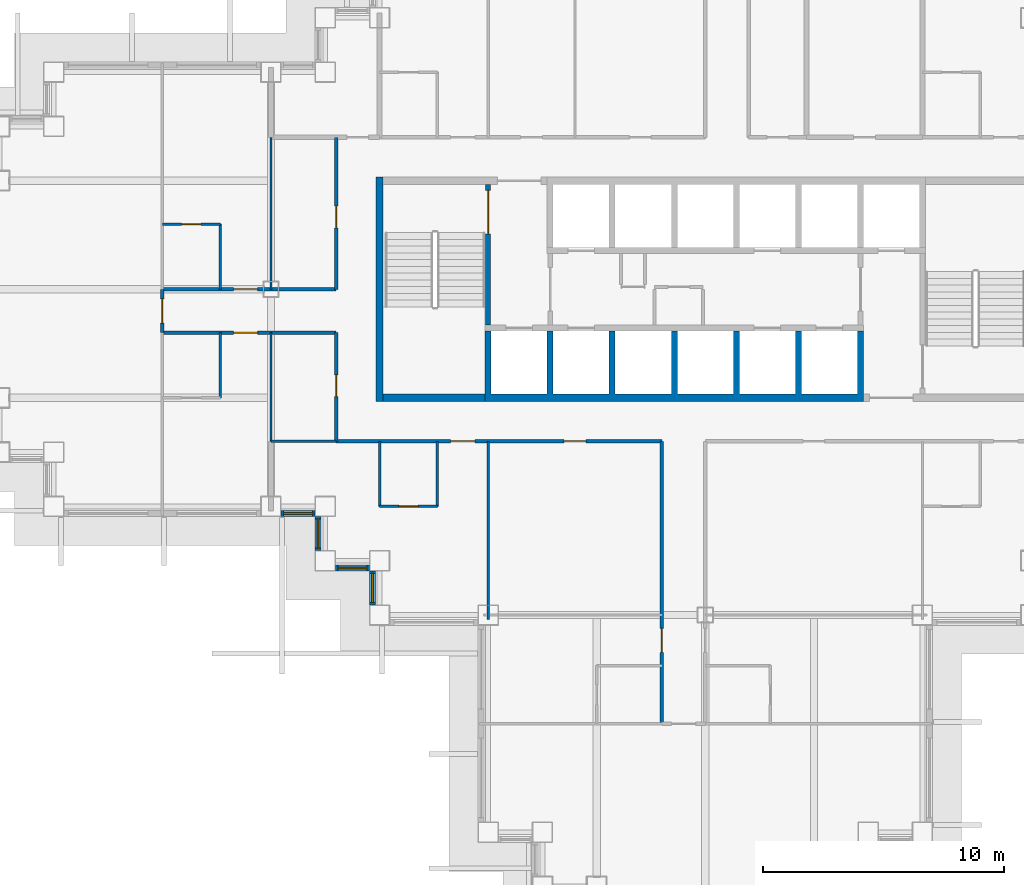
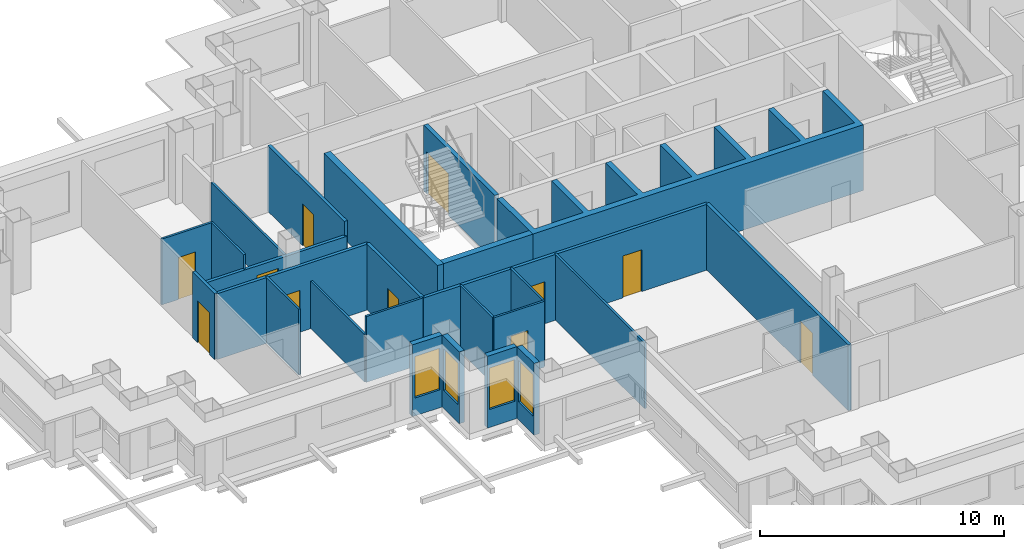
# One storey, part 5 of 17: 25 walls, 11 doors, 4 windows, 15 openings.
"""IFC4 building model written with IfcOpenShell, lengths in metres."""

from ifc_helpers import new_model, si_unit, direction, frame, frame_2d, origin, place, context, subcontext, project, spatial, polyline, rectangle, outline, extrude, material, layer, layer_set, type_object, element, fill, save


model = new_model("IFC4")

# Units and contexts
model_context = context("Model", 3, precision=1e-05, world=origin(), true_north=direction((0.0, 1.0)))
body_context = subcontext(model_context, "Body", "Model", "MODEL_VIEW")
ifc_project = project(units=[si_unit("LENGTHUNIT", "METRE"), si_unit("AREAUNIT", "SQUARE_METRE"), si_unit("VOLUMEUNIT", "CUBIC_METRE"), si_unit("PLANEANGLEUNIT", "RADIAN"), si_unit("MASSUNIT", "GRAM", prefix="KILO")], contexts=[model_context])

# Site, building, storey
site_placement = place(None, origin())
site = spatial("IfcSite", under=ifc_project, at=site_placement, CompositionType="ELEMENT")
building_placement = place(site_placement, origin())
building = spatial("IfcBuilding", under=site, at=building_placement, Name="Caravel Reach Hotel and Residences", CompositionType="ELEMENT")
storey_placement = place(building_placement, frame((0.0, 0.0, 126.0)))
storey = spatial("IfcBuildingStorey", under=building, at=storey_placement, Name="L31", CompositionType="ELEMENT", Elevation=126.0)

# Wall, opening, door
ifc_material_1 = material(Name="Gypsum board on steel stud", Category="steel")
ifc_layer_1 = layer(ifc_material_1, 0.10009765625)
ifc_layer_set_1 = layer_set([ifc_layer_1], Name="Bathroom pod wall 100 mm")
wall_type_1 = type_object("IfcWallType", Name="Bathroom pod wall 100 mm", PredefinedType="PARTITIONING", material=ifc_layer_set_1)
wall_1_placement = place(storey_placement, frame((18.0, 18.0, 0.0), z_axis=(0.0, 0.0, 1.0), x_axis=(1.0, 0.0, 0.0)))
wall_1 = element("IfcWall", 1, at=wall_1_placement, inside=storey, type_object=wall_type_1, Name="L31 wall w069", PredefinedType="PARTITIONING", context=body_context, shape_type="SweptSolid", body=[
    extrude(rectangle(XDim=2.39990234375, YDim=0.10009765625, at=frame_2d((1.199951171875, 0.0))), origin(), (0.0, 0.0, 1.0), 3.300048828125),
])
opening_1_placement = place(wall_1_placement, frame((0.800048828125, 0.0, 0.0)))
opening_1 = element("IfcOpeningElement", 2, at=opening_1_placement, cuts=wall_1, Name="Opening D31-047", PredefinedType="OPENING", context=body_context, shape_type="SweptSolid", body=[
    extrude(rectangle(XDim=0.800048828125, YDim=2.10009765625, at=frame_2d((0.39990234375, 1.050048828125))), frame((0.0, 0.06005859375, 0.0), z_axis=(0.0, -1.0, 0.0), x_axis=(1.0, 0.0, 0.0)), (0.0, 0.0, 1.0), 0.1201171875),
])
ifc_material_2 = material(Name="Timber and steel door leaf", Category="steel")
door_type_1 = type_object("IfcDoorType", Name="Bathroom door 800 x 2100", OperationType="SINGLE_SWING_LEFT", PredefinedType="DOOR", material=ifc_material_2)
door_1_placement = place(opening_1_placement, origin())
door_1 = element("IfcDoor", 3, at=door_1_placement, inside=storey, type_object=door_type_1, Name="door D31-047", OperationType="SINGLE_SWING_RIGHT", OverallHeight=2.10009765625, OverallWidth=0.800048828125, PredefinedType="DOOR", context=body_context, shape_type="SweptSolid", body=[
    extrude(rectangle(XDim=0.800048828125, YDim=2.10009765625, at=frame_2d((0.39990234375, 1.050048828125))), frame((0.0, 0.02490234375, 0.0), z_axis=(0.0, -1.0, 0.0), x_axis=(1.0, 0.0, 0.0)), (0.0, 0.0, 1.0), 0.050048828125),
])
fill(opening_1, door_1)

wall_2_placement = place(storey_placement, frame((9.0, 29.699951171875, 0.0), z_axis=(0.0, 0.0, 1.0), x_axis=(1.0, 0.0, 0.0)))
wall_2 = element("IfcWall", 4, at=wall_2_placement, inside=storey, type_object=wall_type_1, Name="L31 wall w074", PredefinedType="PARTITIONING", context=body_context, shape_type="SweptSolid", body=[
    extrude(rectangle(XDim=2.39990234375, YDim=0.10009765625, at=frame_2d((1.199951171875, 0.0))), origin(), (0.0, 0.0, 1.0), 3.300048828125),
])
opening_2_placement = place(wall_2_placement, frame((0.800048828125, 0.0, 0.0)))
opening_2 = element("IfcOpeningElement", 5, at=opening_2_placement, cuts=wall_2, Name="Opening D31-019", PredefinedType="OPENING", context=body_context, shape_type="SweptSolid", body=[
    extrude(rectangle(XDim=0.800048828125, YDim=2.10009765625, at=frame_2d((0.39990234375, 1.050048828125))), frame((0.0, 0.06005859375, 0.0), z_axis=(0.0, -1.0, 0.0), x_axis=(1.0, 0.0, 0.0)), (0.0, 0.0, 1.0), 0.1201171875),
])
door_2_placement = place(opening_2_placement, origin())
door_2 = element("IfcDoor", 6, at=door_2_placement, inside=storey, type_object=door_type_1, Name="door D31-019", OperationType="SINGLE_SWING_RIGHT", OverallHeight=2.10009765625, OverallWidth=0.800048828125, PredefinedType="DOOR", context=body_context, shape_type="SweptSolid", body=[
    extrude(rectangle(XDim=0.800048828125, YDim=2.10009765625, at=frame_2d((0.39990234375, 1.050048828125))), frame((0.0, 0.02490234375, 0.0), z_axis=(0.0, -1.0, 0.0), x_axis=(1.0, 0.0, 0.0)), (0.0, 0.0, 1.0), 0.050048828125),
])
fill(opening_2, door_2)

# Walls
for number, where, z_axis, x_axis, name in (
    (7, (11.39990234375, 27.0, 0.0), (0.0, 0.0, 1.0), (0.0, 1.0, 0.0), "L31 wall w081"),
    (8, (11.39990234375, 22.5, 0.0), (0.0, 0.0, 1.0), (0.0, 1.0, 0.0), "L31 wall w082"),
    (9, (18.0, 18.0, 0.0), (0.0, 0.0, 1.0), (0.0, 1.0, 0.0), "L31 wall w083"),
    (10, (20.39990234375, 18.0, 0.0), (0.0, 0.0, 1.0), (0.0, 1.0, 0.0), "L31 wall w085"),
):
    element("IfcWall", number, at=place(storey_placement, frame(where, z_axis=z_axis, x_axis=x_axis)), inside=storey, type_object=wall_type_1, Name=name, PredefinedType="PARTITIONING", context=body_context, shape_type="SweptSolid", body=[
        extrude(rectangle(XDim=2.699951171875, YDim=0.10009765625, at=frame_2d((1.35009765625, 0.0))), origin(), (0.0, 0.0, 1.0), 3.300048828125),
    ])
ifc_material_3 = material(Name="Concrete C60", Category="concrete")
ifc_layer_2 = layer(ifc_material_3, 0.300048828125)
ifc_layer_set_2 = layer_set([ifc_layer_2], Name="Core wall 300 mm EI 120")
wall_type_2 = type_object("IfcWallType", Name="Core wall 300 mm EI 120", PredefinedType="SHEAR", material=ifc_layer_set_2)
wall_3_placement = place(storey_placement, frame((18.14990234375, 22.5, 0.0), z_axis=(0.0, 0.0, 1.0), x_axis=(1.0, 0.0, 0.0)))
element("IfcWall", 11, at=wall_3_placement, inside=storey, type_object=wall_type_2, Name="L31 core wall S1", PredefinedType="SHEAR", context=body_context, shape_type="SweptSolid", body=[
    extrude(rectangle(XDim=4.22509765625, YDim=0.300048828125, at=frame_2d((2.112548828125, 0.0))), origin(), (0.0, 0.0, 1.0), 3.300048828125),
])
wall_4_placement = place(storey_placement, frame((18.0, 22.35009765625, 0.0), z_axis=(0.0, 0.0, 1.0), x_axis=(0.0, 1.0, 0.0)))
element("IfcWall", 12, at=wall_4_placement, inside=storey, type_object=wall_type_2, Name="L31 core wall W", PredefinedType="SHEAR", context=body_context, shape_type="SweptSolid", body=[
    extrude(rectangle(XDim=9.2998046875, YDim=0.300048828125, at=frame_2d((4.64990234375, 0.0))), origin(), (0.0, 0.0, 1.0), 3.300048828125),
])

# Wall, openings, doors
ifc_material_4 = material(Name="Gypsum board on steel stud, fire-rated", Category="steel")
ifc_layer_3 = layer(ifc_material_4, 0.14990234375)
ifc_layer_set_3 = layer_set([ifc_layer_3], Name="Corridor wall 150 mm EI 60")
wall_type_3 = type_object("IfcWallType", Name="Corridor wall 150 mm EI 60", PredefinedType="PARTITIONING", material=ifc_layer_set_3)
wall_5_placement = place(storey_placement, frame((16.199951171875, 20.699951171875, 0.0), z_axis=(0.0, 0.0, 1.0), x_axis=(1.0, 0.0, 0.0)))
wall_5 = element("IfcWall", 13, at=wall_5_placement, inside=storey, type_object=wall_type_3, Name="L31 wall w001", PredefinedType="PARTITIONING", context=body_context, shape_type="SweptSolid", body=[
    extrude(rectangle(XDim=13.5, YDim=0.14990234375, at=frame_2d((6.75, 0.0))), origin(), (0.0, 0.0, 1.0), 3.300048828125),
])
opening_3_placement = place(wall_5_placement, frame((4.75, 0.0, 0.0)))
opening_3 = element("IfcOpeningElement", 14, at=opening_3_placement, cuts=wall_5, Name="Opening D31-046", PredefinedType="OPENING", context=body_context, shape_type="SweptSolid", body=[
    extrude(rectangle(XDim=1.0, YDim=2.10009765625, at=frame_2d((0.5, 1.050048828125))), frame((0.0, 0.0849609375, 0.0), z_axis=(0.0, -1.0, 0.0), x_axis=(1.0, 0.0, 0.0)), (0.0, 0.0, 1.0), 0.169921875),
])
opening_4_placement = place(wall_5_placement, frame((9.449951171875, 0.0, 0.0)))
opening_4 = element("IfcOpeningElement", 15, at=opening_4_placement, cuts=wall_5, Name="Opening D31-054", PredefinedType="OPENING", context=body_context, shape_type="SweptSolid", body=[
    extrude(rectangle(XDim=0.89990234375, YDim=2.10009765625, at=frame_2d((0.449951171875, 1.050048828125))), frame((0.0, 0.0849609375, 0.0), z_axis=(0.0, -1.0, 0.0), x_axis=(1.0, 0.0, 0.0)), (0.0, 0.0, 1.0), 0.169921875),
])
ifc_material_5 = material(Name="Timber and steel door leaf", Category="steel")
door_type_2 = type_object("IfcDoorType", Name="Door 900 x 2100 timber", OperationType="SINGLE_SWING_LEFT", PredefinedType="DOOR", material=ifc_material_5)
door_3_placement = place(opening_4_placement, origin())
door_3 = element("IfcDoor", 16, at=door_3_placement, inside=storey, type_object=door_type_2, Name="door D31-054", OperationType="SINGLE_SWING_RIGHT", OverallHeight=2.10009765625, OverallWidth=0.89990234375, PredefinedType="DOOR", context=body_context, shape_type="SweptSolid", body=[
    extrude(rectangle(XDim=0.89990234375, YDim=2.10009765625, at=frame_2d((0.449951171875, 1.050048828125))), frame((0.0, 0.02490234375, 0.0), z_axis=(0.0, -1.0, 0.0), x_axis=(1.0, 0.0, 0.0)), (0.0, 0.0, 1.0), 0.050048828125),
])
fill(opening_4, door_3)
ifc_material_6 = material(Name="Steel fire door leaf", Category="steel")
door_type_3 = type_object("IfcDoorType", Name="Guest room door 1000 x 2100 EI 30", OperationType="SINGLE_SWING_LEFT", PredefinedType="DOOR", material=ifc_material_6)
door_4_placement = place(opening_3_placement, origin())
door_4 = element("IfcDoor", 17, at=door_4_placement, inside=storey, type_object=door_type_3, Name="door D31-046", OperationType="SINGLE_SWING_RIGHT", OverallHeight=2.10009765625, OverallWidth=1.0, PredefinedType="DOOR", context=body_context, shape_type="SweptSolid", body=[
    extrude(rectangle(XDim=1.0, YDim=2.10009765625, at=frame_2d((0.5, 1.050048828125))), frame((0.0, 0.02490234375, 0.0), z_axis=(0.0, -1.0, 0.0), x_axis=(1.0, 0.0, 0.0)), (0.0, 0.0, 1.0), 0.050048828125),
])
fill(opening_3, door_4)

# Wall, opening, door
wall_6_placement = place(storey_placement, frame((9.0, 25.199951171875, 0.0), z_axis=(0.0, 0.0, 1.0), x_axis=(1.0, 0.0, 0.0)))
wall_6 = element("IfcWall", 18, at=wall_6_placement, inside=storey, type_object=wall_type_3, Name="L31 wall w005", PredefinedType="PARTITIONING", context=body_context, shape_type="SweptSolid", body=[
    extrude(rectangle(XDim=7.199951171875, YDim=0.14990234375, at=frame_2d((3.60009765625, 0.0))), origin(), (0.0, 0.0, 1.0), 3.300048828125),
])
opening_5_placement = place(wall_6_placement, frame((2.949951171875, 0.0, 0.0)))
opening_5 = element("IfcOpeningElement", 19, at=opening_5_placement, cuts=wall_6, Name="Opening D31-016", PredefinedType="OPENING", context=body_context, shape_type="SweptSolid", body=[
    extrude(rectangle(XDim=1.0, YDim=2.10009765625, at=frame_2d((0.5, 1.050048828125))), frame((0.0, 0.0849609375, 0.0), z_axis=(0.0, -1.0, 0.0), x_axis=(1.0, 0.0, 0.0)), (0.0, 0.0, 1.0), 0.169921875),
])
door_5_placement = place(opening_5_placement, origin())
door_5 = element("IfcDoor", 20, at=door_5_placement, inside=storey, type_object=door_type_3, Name="door D31-016", OperationType="SINGLE_SWING_RIGHT", OverallHeight=2.10009765625, OverallWidth=1.0, PredefinedType="DOOR", context=body_context, shape_type="SweptSolid", body=[
    extrude(rectangle(XDim=1.0, YDim=2.10009765625, at=frame_2d((0.5, 1.050048828125))), frame((0.0, 0.02490234375, 0.0), z_axis=(0.0, -1.0, 0.0), x_axis=(1.0, 0.0, 0.0)), (0.0, 0.0, 1.0), 0.050048828125),
])
fill(opening_5, door_5)

wall_7_placement = place(storey_placement, frame((9.0, 27.0, 0.0), z_axis=(0.0, 0.0, 1.0), x_axis=(1.0, 0.0, 0.0)))
wall_7 = element("IfcWall", 21, at=wall_7_placement, inside=storey, type_object=wall_type_3, Name="L31 wall w009", PredefinedType="PARTITIONING", context=body_context, shape_type="SweptSolid", body=[
    extrude(rectangle(XDim=7.199951171875, YDim=0.14990234375, at=frame_2d((3.60009765625, 0.0))), origin(), (0.0, 0.0, 1.0), 2.580078125),
])
opening_6_placement = place(wall_7_placement, frame((2.949951171875, 0.0, 0.0)))
opening_6 = element("IfcOpeningElement", 22, at=opening_6_placement, cuts=wall_7, Name="Opening D31-018", PredefinedType="OPENING", context=body_context, shape_type="SweptSolid", body=[
    extrude(rectangle(XDim=1.0, YDim=2.10009765625, at=frame_2d((0.5, 1.050048828125))), frame((0.0, 0.0849609375, 0.0), z_axis=(0.0, -1.0, 0.0), x_axis=(1.0, 0.0, 0.0)), (0.0, 0.0, 1.0), 0.169921875),
])
door_6_placement = place(opening_6_placement, origin())
door_6 = element("IfcDoor", 23, at=door_6_placement, inside=storey, type_object=door_type_3, Name="door D31-018", OperationType="SINGLE_SWING_RIGHT", OverallHeight=2.10009765625, OverallWidth=1.0, PredefinedType="DOOR", context=body_context, shape_type="SweptSolid", body=[
    extrude(rectangle(XDim=1.0, YDim=2.10009765625, at=frame_2d((0.5, 1.050048828125))), frame((0.0, 0.02490234375, 0.0), z_axis=(0.0, -1.0, 0.0), x_axis=(1.0, 0.0, 0.0)), (0.0, 0.0, 1.0), 0.050048828125),
])
fill(opening_6, door_6)

wall_8_placement = place(storey_placement, frame((16.199951171875, 27.0, 0.0), z_axis=(0.0, 0.0, 1.0), x_axis=(0.0, 1.0, 0.0)))
wall_8 = element("IfcWall", 24, at=wall_8_placement, inside=storey, type_object=wall_type_3, Name="L31 wall w023", PredefinedType="PARTITIONING", context=body_context, shape_type="SweptSolid", body=[
    extrude(rectangle(XDim=6.300048828125, YDim=0.14990234375, at=frame_2d((3.14990234375, 0.0))), origin(), (0.0, 0.0, 1.0), 3.300048828125),
])
opening_7_placement = place(wall_8_placement, frame((2.550048828125, 0.0, 0.0)))
opening_7 = element("IfcOpeningElement", 25, at=opening_7_placement, cuts=wall_8, Name="Opening D31-057", PredefinedType="OPENING", context=body_context, shape_type="SweptSolid", body=[
    extrude(rectangle(XDim=0.89990234375, YDim=2.10009765625, at=frame_2d((0.449951171875, 1.050048828125))), frame((0.0, 0.0849609375, 0.0), z_axis=(0.0, -1.0, 0.0), x_axis=(1.0, 0.0, 0.0)), (0.0, 0.0, 1.0), 0.169921875),
])
door_7_placement = place(opening_7_placement, origin())
door_7 = element("IfcDoor", 26, at=door_7_placement, inside=storey, type_object=door_type_2, Name="door D31-057", OperationType="SINGLE_SWING_LEFT", OverallHeight=2.10009765625, OverallWidth=0.89990234375, PredefinedType="DOOR", context=body_context, shape_type="SweptSolid", body=[
    extrude(rectangle(XDim=0.89990234375, YDim=2.10009765625, at=frame_2d((0.449951171875, 1.050048828125))), frame((0.0, 0.02490234375, 0.0), z_axis=(0.0, -1.0, 0.0), x_axis=(1.0, 0.0, 0.0)), (0.0, 0.0, 1.0), 0.050048828125),
])
fill(opening_7, door_7)

wall_9_placement = place(storey_placement, frame((16.199951171875, 20.699951171875, 0.0), z_axis=(0.0, 0.0, 1.0), x_axis=(0.0, 1.0, 0.0)))
wall_9 = element("IfcWall", 27, at=wall_9_placement, inside=storey, type_object=wall_type_3, Name="L31 wall w024", PredefinedType="PARTITIONING", context=body_context, shape_type="SweptSolid", body=[
    extrude(rectangle(XDim=4.5, YDim=0.14990234375, at=frame_2d((2.25, 0.0))), origin(), (0.0, 0.0, 1.0), 3.300048828125),
])
opening_8_placement = place(wall_9_placement, frame((1.85009765625, 0.0, 0.0)))
opening_8 = element("IfcOpeningElement", 28, at=opening_8_placement, cuts=wall_9, Name="Opening D31-056", PredefinedType="OPENING", context=body_context, shape_type="SweptSolid", body=[
    extrude(rectangle(XDim=0.89990234375, YDim=2.10009765625, at=frame_2d((0.449951171875, 1.050048828125))), frame((0.0, 0.0849609375, 0.0), z_axis=(0.0, -1.0, 0.0), x_axis=(1.0, 0.0, 0.0)), (0.0, 0.0, 1.0), 0.169921875),
])
door_8_placement = place(opening_8_placement, origin())
door_8 = element("IfcDoor", 29, at=door_8_placement, inside=storey, type_object=door_type_2, Name="door D31-056", OperationType="SINGLE_SWING_RIGHT", OverallHeight=2.10009765625, OverallWidth=0.89990234375, PredefinedType="DOOR", context=body_context, shape_type="SweptSolid", body=[
    extrude(rectangle(XDim=0.89990234375, YDim=2.10009765625, at=frame_2d((0.449951171875, 1.050048828125))), frame((0.0, 0.02490234375, 0.0), z_axis=(0.0, -1.0, 0.0), x_axis=(1.0, 0.0, 0.0)), (0.0, 0.0, 1.0), 0.050048828125),
])
fill(opening_8, door_8)

wall_10_placement = place(storey_placement, frame((29.699951171875, 9.0, 0.0), z_axis=(0.0, 0.0, 1.0), x_axis=(0.0, 1.0, 0.0)))
wall_10 = element("IfcWall", 30, at=wall_10_placement, inside=storey, type_object=wall_type_3, Name="L31 wall w025", PredefinedType="PARTITIONING", context=body_context, shape_type="SweptSolid", body=[
    extrude(rectangle(XDim=11.699951171875, YDim=0.14990234375, at=frame_2d((5.85009765625, 0.0))), origin(), (0.0, 0.0, 1.0), 3.300048828125),
])
opening_9_placement = place(wall_10_placement, frame((2.949951171875, 0.0, 0.0)))
opening_9 = element("IfcOpeningElement", 31, at=opening_9_placement, cuts=wall_10, Name="Opening D31-032", PredefinedType="OPENING", context=body_context, shape_type="SweptSolid", body=[
    extrude(rectangle(XDim=1.0, YDim=2.10009765625, at=frame_2d((0.5, 1.050048828125))), frame((0.0, 0.0849609375, 0.0), z_axis=(0.0, -1.0, 0.0), x_axis=(1.0, 0.0, 0.0)), (0.0, 0.0, 1.0), 0.169921875),
])
door_9_placement = place(opening_9_placement, origin())
door_9 = element("IfcDoor", 32, at=door_9_placement, inside=storey, type_object=door_type_3, Name="door D31-032", OperationType="SINGLE_SWING_RIGHT", OverallHeight=2.10009765625, OverallWidth=1.0, PredefinedType="DOOR", context=body_context, shape_type="SweptSolid", body=[
    extrude(rectangle(XDim=1.0, YDim=2.10009765625, at=frame_2d((0.5, 1.050048828125))), frame((0.0, 0.02490234375, 0.0), z_axis=(0.0, -1.0, 0.0), x_axis=(1.0, 0.0, 0.0)), (0.0, 0.0, 1.0), 0.050048828125),
])
fill(opening_9, door_9)

wall_11_placement = place(storey_placement, frame((9.0, 25.199951171875, 0.0), z_axis=(0.0, 0.0, 1.0), x_axis=(0.0, 1.0, 0.0)))
wall_11 = element("IfcWall", 33, at=wall_11_placement, inside=storey, type_object=wall_type_3, Name="L31 wall w036", PredefinedType="PARTITIONING", context=body_context, shape_type="SweptSolid", body=[
    extrude(rectangle(XDim=1.800048828125, YDim=0.14990234375, at=frame_2d((0.89990234375, 0.0))), origin(), (0.0, 0.0, 1.0), 3.300048828125),
])
opening_10_placement = place(wall_11_placement, frame((0.39990234375, 0.0, 0.0)))
opening_10 = element("IfcOpeningElement", 34, at=opening_10_placement, cuts=wall_11, Name="Opening D31-036", PredefinedType="OPENING", context=body_context, shape_type="SweptSolid", body=[
    extrude(rectangle(XDim=1.0, YDim=2.10009765625, at=frame_2d((0.5, 1.050048828125))), frame((0.0, 0.0849609375, 0.0), z_axis=(0.0, -1.0, 0.0), x_axis=(1.0, 0.0, 0.0)), (0.0, 0.0, 1.0), 0.169921875),
])
door_10_placement = place(opening_10_placement, origin())
door_10 = element("IfcDoor", 35, at=door_10_placement, inside=storey, type_object=door_type_3, Name="door D31-036", OperationType="SINGLE_SWING_LEFT", OverallHeight=2.10009765625, OverallWidth=1.0, PredefinedType="DOOR", context=body_context, shape_type="SweptSolid", body=[
    extrude(rectangle(XDim=1.0, YDim=2.10009765625, at=frame_2d((0.5, 1.050048828125))), frame((0.0, 0.02490234375, 0.0), z_axis=(0.0, -1.0, 0.0), x_axis=(1.0, 0.0, 0.0)), (0.0, 0.0, 1.0), 0.050048828125),
])
fill(opening_10, door_10)

# Wall, opening, window
ifc_material_7 = material(Name="Insulated rainscreen wall, aluminium cladding", Category="aluminium")
ifc_layer_4 = layer(ifc_material_7, 0.25)
ifc_layer_set_4 = layer_set([ifc_layer_4], Name="EW1 Tower rainscreen wall")
wall_type_4 = type_object("IfcWallType", Name="EW1 Tower rainscreen wall", PredefinedType="SOLIDWALL", material=ifc_layer_set_4)
wall_12_placement = place(storey_placement, frame((13.925048828125, 17.699951171875, 0.0), z_axis=(0.0, 0.0, 1.0), x_axis=(1.0, 0.0, 0.0)))
wall_12 = element("IfcWall", 36, at=wall_12_placement, inside=storey, type_object=wall_type_4, Name="External wall L31 S55.2", PredefinedType="SOLIDWALL", context=body_context, shape_type="SweptSolid", body=[
    extrude(rectangle(XDim=1.39990234375, YDim=0.25, at=frame_2d((0.699951171875, 0.0))), origin(), (0.0, 0.0, 1.0), 3.60009765625),
])
opening_11_placement = place(wall_12_placement, frame((0.10009765625, 0.0, 0.89990234375)))
opening_11 = element("IfcOpeningElement", 37, at=opening_11_placement, cuts=wall_12, Name="Opening WN9", PredefinedType="OPENING", context=body_context, shape_type="SweptSolid", body=[
    extrude(rectangle(XDim=1.199951171875, YDim=2.080078125, at=frame_2d((0.60009765625, 1.0400390625))), frame((0.0, 0.135009765625, 0.0), z_axis=(0.0, -1.0, 0.0), x_axis=(1.0, 0.0, 0.0)), (0.0, 0.0, 1.0), 0.27001953125),
])
ifc_material_8 = material(Name="Dark low-e glazing in black aluminium frame", Category="aluminium")
window_type = type_object("IfcWindowType", Name="Hotel suite corner window 1200 x 2080", PartitioningType="SINGLE_PANEL", PredefinedType="WINDOW", material=ifc_material_8)
window_1_placement = place(opening_11_placement, origin())
window_1 = element("IfcWindow", 38, at=window_1_placement, inside=storey, type_object=window_type, Name="Window L31 S55.2.1", OverallHeight=2.080078125, OverallWidth=1.199951171875, PartitioningType="SINGLE_PANEL", PredefinedType="WINDOW", context=body_context, shape_type="SweptSolid", body=[
    extrude(rectangle(XDim=1.199951171875, YDim=2.080078125, at=frame_2d((0.60009765625, 1.0400390625))), frame((0.0, 0.030029296875, 0.0), z_axis=(0.0, -1.0, 0.0), x_axis=(1.0, 0.0, 0.0)), (0.0, 0.0, 1.0), 0.06005859375),
])
fill(opening_11, window_1)

wall_13_placement = place(storey_placement, frame((15.449951171875, 17.574951171875, 0.0), z_axis=(0.0, 0.0, 1.0), x_axis=(0.0, -1.0, 0.0)))
wall_13 = element("IfcWall", 39, at=wall_13_placement, inside=storey, type_object=wall_type_4, Name="External wall L31 W56.1", PredefinedType="SOLIDWALL", context=body_context, shape_type="SweptSolid", body=[
    extrude(rectangle(XDim=1.39990234375, YDim=0.25, at=frame_2d((0.699951171875, 0.0))), origin(), (0.0, 0.0, 1.0), 3.60009765625),
])
opening_12_placement = place(wall_13_placement, frame((0.10009765625, 0.0, 0.89990234375)))
opening_12 = element("IfcOpeningElement", 40, at=opening_12_placement, cuts=wall_13, Name="Opening WN9", PredefinedType="OPENING", context=body_context, shape_type="SweptSolid", body=[
    extrude(rectangle(XDim=1.199951171875, YDim=2.080078125, at=frame_2d((0.60009765625, 1.0400390625))), frame((0.0, 0.135009765625, 0.0), z_axis=(0.0, -1.0, 0.0), x_axis=(1.0, 0.0, 0.0)), (0.0, 0.0, 1.0), 0.27001953125),
])
window_2_placement = place(opening_12_placement, origin())
window_2 = element("IfcWindow", 41, at=window_2_placement, inside=storey, type_object=window_type, Name="Window L31 W56.1.1", OverallHeight=2.080078125, OverallWidth=1.199951171875, PartitioningType="SINGLE_PANEL", PredefinedType="WINDOW", context=body_context, shape_type="SweptSolid", body=[
    extrude(rectangle(XDim=1.199951171875, YDim=2.080078125, at=frame_2d((0.60009765625, 1.0400390625))), frame((0.0, 0.030029296875, 0.0), z_axis=(0.0, -1.0, 0.0), x_axis=(1.0, 0.0, 0.0)), (0.0, 0.0, 1.0), 0.06005859375),
])
fill(opening_12, window_2)

wall_14_placement = place(storey_placement, frame((16.175048828125, 15.449951171875, 0.0), z_axis=(0.0, 0.0, 1.0), x_axis=(1.0, 0.0, 0.0)))
wall_14 = element("IfcWall", 42, at=wall_14_placement, inside=storey, type_object=wall_type_4, Name="External wall L31 S57.1", PredefinedType="SOLIDWALL", context=body_context, shape_type="SweptSolid", body=[
    extrude(rectangle(XDim=1.39990234375, YDim=0.25, at=frame_2d((0.699951171875, 0.0))), origin(), (0.0, 0.0, 1.0), 3.60009765625),
])
opening_13_placement = place(wall_14_placement, frame((0.10009765625, 0.0, 0.89990234375)))
opening_13 = element("IfcOpeningElement", 43, at=opening_13_placement, cuts=wall_14, Name="Opening WN9", PredefinedType="OPENING", context=body_context, shape_type="SweptSolid", body=[
    extrude(rectangle(XDim=1.199951171875, YDim=2.080078125, at=frame_2d((0.60009765625, 1.0400390625))), frame((0.0, 0.135009765625, 0.0), z_axis=(0.0, -1.0, 0.0), x_axis=(1.0, 0.0, 0.0)), (0.0, 0.0, 1.0), 0.27001953125),
])
window_3_placement = place(opening_13_placement, origin())
window_3 = element("IfcWindow", 44, at=window_3_placement, inside=storey, type_object=window_type, Name="Window L31 S57.1.1", OverallHeight=2.080078125, OverallWidth=1.199951171875, PartitioningType="SINGLE_PANEL", PredefinedType="WINDOW", context=body_context, shape_type="SweptSolid", body=[
    extrude(rectangle(XDim=1.199951171875, YDim=2.080078125, at=frame_2d((0.60009765625, 1.0400390625))), frame((0.0, 0.030029296875, 0.0), z_axis=(0.0, -1.0, 0.0), x_axis=(1.0, 0.0, 0.0)), (0.0, 0.0, 1.0), 0.06005859375),
])
fill(opening_13, window_3)

wall_15_placement = place(storey_placement, frame((17.699951171875, 15.324951171875, 0.0), z_axis=(0.0, 0.0, 1.0), x_axis=(0.0, -1.0, 0.0)))
wall_15 = element("IfcWall", 45, at=wall_15_placement, inside=storey, type_object=wall_type_4, Name="External wall L31 W58.1", PredefinedType="SOLIDWALL", context=body_context, shape_type="SweptSolid", body=[
    extrude(rectangle(XDim=1.39990234375, YDim=0.25, at=frame_2d((0.699951171875, 0.0))), origin(), (0.0, 0.0, 1.0), 3.60009765625),
])
opening_14_placement = place(wall_15_placement, frame((0.10009765625, 0.0, 0.89990234375)))
opening_14 = element("IfcOpeningElement", 46, at=opening_14_placement, cuts=wall_15, Name="Opening WN9", PredefinedType="OPENING", context=body_context, shape_type="SweptSolid", body=[
    extrude(rectangle(XDim=1.199951171875, YDim=2.080078125, at=frame_2d((0.60009765625, 1.0400390625))), frame((0.0, 0.135009765625, 0.0), z_axis=(0.0, -1.0, 0.0), x_axis=(1.0, 0.0, 0.0)), (0.0, 0.0, 1.0), 0.27001953125),
])
window_4_placement = place(opening_14_placement, origin())
window_4 = element("IfcWindow", 47, at=window_4_placement, inside=storey, type_object=window_type, Name="Window L31 W58.1.1", OverallHeight=2.080078125, OverallWidth=1.199951171875, PartitioningType="SINGLE_PANEL", PredefinedType="WINDOW", context=body_context, shape_type="SweptSolid", body=[
    extrude(rectangle(XDim=1.199951171875, YDim=2.080078125, at=frame_2d((0.60009765625, 1.0400390625))), frame((0.0, 0.030029296875, 0.0), z_axis=(0.0, -1.0, 0.0), x_axis=(1.0, 0.0, 0.0)), (0.0, 0.0, 1.0), 0.06005859375),
])
fill(opening_14, window_4)

# Walls
ifc_material_9 = material(Name="Gypsum board on steel stud", Category="steel")
ifc_layer_5 = layer(ifc_material_9, 0.10009765625)
ifc_layer_set_5 = layer_set([ifc_layer_5], Name="Partition 100 mm")
wall_type_5 = type_object("IfcWallType", Name="Partition 100 mm", PredefinedType="PARTITIONING", material=ifc_layer_set_5)
wall_16_placement = place(storey_placement, frame((13.5, 20.699951171875, 0.0), z_axis=(0.0, 0.0, 1.0), x_axis=(1.0, 0.0, 0.0)))
element("IfcWall", 48, at=wall_16_placement, inside=storey, type_object=wall_type_5, Name="L31 wall w039", PredefinedType="PARTITIONING", context=body_context, shape_type="SweptSolid", body=[
    extrude(rectangle(XDim=2.699951171875, YDim=0.10009765625, at=frame_2d((1.35009765625, 0.0))), origin(), (0.0, 0.0, 1.0), 3.300048828125),
])
wall_17_placement = place(storey_placement, frame((13.5, 27.0, 0.0), z_axis=(0.0, 0.0, 1.0), x_axis=(0.0, 1.0, 0.0)))
element("IfcWall", 49, at=wall_17_placement, inside=storey, type_object=wall_type_5, Name="L31 wall w049", PredefinedType="PARTITIONING", context=body_context, shape_type="SweptSolid", body=[
    extrude(rectangle(XDim=6.300048828125, YDim=0.10009765625, at=frame_2d((3.14990234375, 0.0))), origin(), (0.0, 0.0, 1.0), 2.3798828125),
])
wall_18_placement = place(storey_placement, frame((13.5, 20.699951171875, 0.0), z_axis=(0.0, 0.0, 1.0), x_axis=(0.0, 1.0, 0.0)))
element("IfcWall", 50, at=wall_18_placement, inside=storey, type_object=wall_type_5, Name="L31 wall w050", PredefinedType="PARTITIONING", context=body_context, shape_type="SweptSolid", body=[
    extrude(rectangle(XDim=4.5, YDim=0.10009765625, at=frame_2d((2.25, 0.0))), origin(), (0.0, 0.0, 1.0), 2.3798828125),
])
wall_19_placement = place(storey_placement, frame((22.5, 13.31005859375, 0.0), z_axis=(0.0, 0.0, 1.0), x_axis=(0.0, 1.0, 0.0)))
element("IfcWall", 51, at=wall_19_placement, inside=storey, type_object=wall_type_5, Name="L31 wall w052", PredefinedType="PARTITIONING", context=body_context, shape_type="SweptSolid", body=[
    extrude(rectangle(XDim=7.389892578125, YDim=0.10009765625, at=frame_2d((3.69482421875, 0.0))), origin(), (0.0, 0.0, 1.0), 3.300048828125),
])
ifc_material_10 = material(Name="Concrete C60", Category="concrete")
ifc_layer_6 = layer(ifc_material_10, 0.25)
ifc_layer_set_6 = layer_set([ifc_layer_6], Name="Shaft wall 250 mm EI 120")
wall_type_6 = type_object("IfcWallType", Name="Shaft wall 250 mm EI 120", PredefinedType="SHEAR", material=ifc_layer_set_6)
wall_20_placement = place(storey_placement, origin())
element("IfcWall", 52, at=wall_20_placement, inside=storey, type_object=wall_type_6, Name="L31 lift shaft wall S1", PredefinedType="SHEAR", context=body_context, shape_type="SweptSolid", body=[
    extrude(outline(polyline([(22.375, 22.35009765625), (38.053466796875, 22.35009765625), (38.053466796875, 25.27490234375), (37.803466796875, 25.27490234375), (37.803466796875, 22.64990234375), (35.482177734375, 22.64990234375), (35.482177734375, 25.27490234375), (35.232177734375, 25.27490234375), (35.232177734375, 22.64990234375), (32.91064453125, 22.64990234375), (32.91064453125, 25.27490234375), (32.66064453125, 25.27490234375), (32.66064453125, 22.64990234375), (30.33935546875, 22.64990234375), (30.33935546875, 25.27490234375), (30.08935546875, 25.27490234375), (30.08935546875, 22.64990234375), (27.767822265625, 22.64990234375), (27.767822265625, 25.27490234375), (27.517822265625, 25.27490234375), (27.517822265625, 22.64990234375), (25.196533203125, 22.64990234375), (25.196533203125, 25.27490234375), (24.946533203125, 25.27490234375), (24.946533203125, 22.64990234375), (22.625, 22.64990234375), (22.625, 25.27490234375), (22.375, 25.27490234375), (22.375, 22.35009765625)])), origin(), (0.0, 0.0, 1.0), 3.300048828125),
])

# Wall, opening, door
ifc_material_11 = material(Name="Concrete C60", Category="concrete")
ifc_layer_7 = layer(ifc_material_11, 0.199951171875)
ifc_layer_set_7 = layer_set([ifc_layer_7], Name="Stair enclosure wall 200 mm EI 120")
wall_type_7 = type_object("IfcWallType", Name="Stair enclosure wall 200 mm EI 120", PredefinedType="SHEAR", material=ifc_layer_set_7)
wall_21_placement = place(storey_placement, frame((22.5, 31.35009765625, 0.0), z_axis=(0.0, 0.0, 1.0), x_axis=(0.0, -1.0, 0.0)))
wall_21 = element("IfcWall", 53, at=wall_21_placement, inside=storey, type_object=wall_type_7, Name="L31 stair A wall", PredefinedType="SHEAR", context=body_context, shape_type="SweptSolid", body=[
    extrude(rectangle(XDim=5.8251953125, YDim=0.199951171875, at=frame_2d((2.91259765625, 0.0))), origin(), (0.0, 0.0, 1.0), 3.300048828125),
])
opening_15_placement = place(wall_21_placement, frame((0.25, 0.0, 0.0)))
opening_15 = element("IfcOpeningElement", 54, at=opening_15_placement, cuts=wall_21, Name="Opening D31-010", PredefinedType="OPENING", context=body_context, shape_type="SweptSolid", body=[
    extrude(rectangle(XDim=1.800048828125, YDim=2.10009765625, at=frame_2d((0.89990234375, 1.050048828125))), frame((0.0, 0.10986328125, 0.0), z_axis=(0.0, -1.0, 0.0), x_axis=(1.0, 0.0, 0.0)), (0.0, 0.0, 1.0), 0.219970703125),
])
ifc_material_12 = material(Name="Steel fire door leaf", Category="steel")
door_type_4 = type_object("IfcDoorType", Name="Stair door pair 1800 x 2100 EI 90", OperationType="DOUBLE_DOOR_SINGLE_SWING", PredefinedType="DOOR", material=ifc_material_12)
door_11_placement = place(opening_15_placement, origin())
door_11 = element("IfcDoor", 55, at=door_11_placement, inside=storey, type_object=door_type_4, Name="stair A door pair", OperationType="DOUBLE_DOOR_SINGLE_SWING", OverallHeight=2.10009765625, OverallWidth=1.800048828125, PredefinedType="DOOR", context=body_context, shape_type="SweptSolid", body=[
    extrude(rectangle(XDim=1.800048828125, YDim=2.10009765625, at=frame_2d((0.89990234375, 1.050048828125))), frame((0.0, 0.02490234375, 0.0), z_axis=(0.0, -1.0, 0.0), x_axis=(1.0, 0.0, 0.0)), (0.0, 0.0, 1.0), 0.050048828125),
])
fill(opening_15, door_11)

save(model, "model.ifc")
